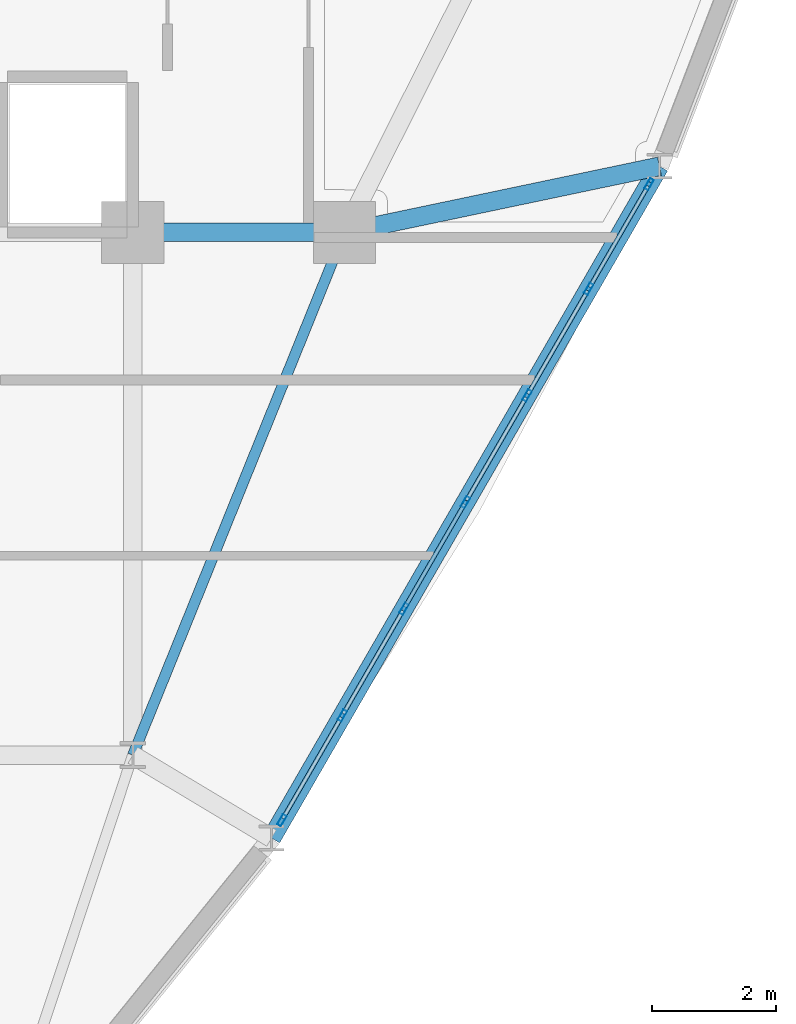
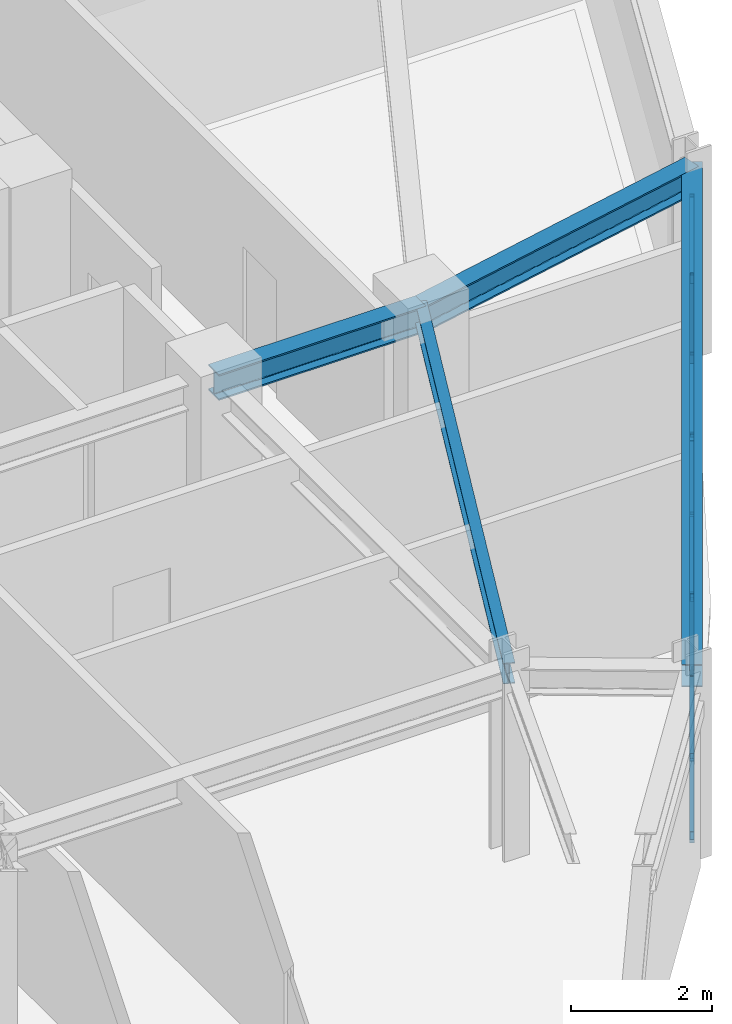
# One storey, part 6 of 14: 21 members, 4 beams, 1 element without a shape of its own.
"""IFC4 building model written with IfcOpenShell, lengths in metres."""

import ifcopenshell
import ifcopenshell.guid

model = None  # the IFC model being written
_history = None  # IfcOwnerHistory: only IFC2X3 demands one
_inside = {}  # id of a spatial element -> (the spatial element, [elements in it])
_under = {}  # id of a project, library or spatial element -> (it, [spatial elements below it])
_declared = {}  # id of a project -> (the project, [libraries it declares])
_typed = {}  # id of a type object -> (the type object, [elements of that type])
_made_of = {}  # id of a material, layer set ... -> (it, [elements and type objects made of it])


def new_model(schema):
    """Start an empty IFC model of exactly this schema.

    Asked for "IFC4X3", IfcOpenShell would pick the latest addendum, in which some entities
    have other attributes; the version numbers below select the first issue.
    IFC2X3 requires an IfcOwnerHistory on every rooted entity: one is made here for all.
    """
    global model, _history
    if schema == "IFC4X3":
        model = ifcopenshell.file(schema_version=(4, 3, 0, 0))
    else:
        model = ifcopenshell.file(schema=schema)
    _inside.clear()
    _under.clear()
    _declared.clear()
    _typed.clear()
    _made_of.clear()
    _history = None
    if model.schema == "IFC2X3":
        org = make("IfcOrganization", Name="unknown")
        user = make(
            "IfcPersonAndOrganization",
            ThePerson=make("IfcPerson", FamilyName="unknown"),
            TheOrganization=org,
        )
        app = make(
            "IfcApplication",
            ApplicationDeveloper=org,
            Version="unknown",
            ApplicationFullName="unknown",
            ApplicationIdentifier="unknown",
        )
        _history = make(
            "IfcOwnerHistory",
            OwningUser=user,
            OwningApplication=app,
            ChangeAction="ADDED",
            CreationDate=0,
        )
    return model


def make(cls, **values):
    """One entity of the class cls with the attributes given. An attribute that is None is left unset."""
    return model.create_entity(
        cls, **{name: value for name, value in values.items() if value is not None}
    )


def rooted(cls, **values):
    """An entity with a GlobalId (a new one), such as an element, a storey or a relation."""
    return make(cls, GlobalId=ifcopenshell.guid.new(), OwnerHistory=_history, **values)


def si_unit(unit_type, name, prefix=None):
    """IfcSIUnit, for example si_unit("LENGTHUNIT", "METRE", prefix="MILLI")."""
    return make("IfcSIUnit", UnitType=unit_type, Prefix=prefix, Name=name)


def derived_unit(unit_type, elements):
    """IfcDerivedUnit: a product of units, each with its exponent."""
    return make(
        "IfcDerivedUnit",
        Elements=[
            make("IfcDerivedUnitElement", Unit=unit, Exponent=power)
            for unit, power in elements
        ],
        UnitType=unit_type,
    )


def assignment(units):
    """IfcUnitAssignment: the units of a project."""
    return None if units is None else make("IfcUnitAssignment", Units=units)


def point(xyz):
    """IfcCartesianPoint."""
    return None if xyz is None else make("IfcCartesianPoint", Coordinates=xyz)


def direction(xyz):
    """IfcDirection."""
    return None if xyz is None else make("IfcDirection", DirectionRatios=xyz)


def frame(location, z_axis=None, x_axis=None):
    """IfcAxis2Placement3D, a coordinate frame: its origin and axes. An axis left out is left unset."""
    return make(
        "IfcAxis2Placement3D",
        Location=point(location),
        Axis=direction(z_axis),
        RefDirection=direction(x_axis),
    )


def frame_2d(location, x_axis=None):
    """IfcAxis2Placement2D, a coordinate frame in the plane: its origin and x axis."""
    return make(
        "IfcAxis2Placement2D", Location=point(location), RefDirection=direction(x_axis)
    )


def origin():
    """The frame at (0, 0, 0) with its axes left unset."""
    return frame((0.0, 0.0, 0.0))


def origin_2d():
    """The frame at (0, 0) in the plane with its x axis left unset."""
    return frame_2d((0.0, 0.0))


def place(relative_to, where):
    """IfcLocalPlacement: puts the frame where relative to a parent placement (None: the world)."""
    return make(
        "IfcLocalPlacement", PlacementRelTo=relative_to, RelativePlacement=where
    )


def context(
    kind, dimensions, precision=None, world=None, true_north=None, identifier=None
):
    """IfcGeometricRepresentationContext, for example the 3D "Model" context."""
    return make(
        "IfcGeometricRepresentationContext",
        ContextIdentifier=identifier,
        ContextType=kind,
        CoordinateSpaceDimension=dimensions,
        Precision=precision,
        WorldCoordinateSystem=world,
        TrueNorth=true_north,
    )


def subcontext(parent, identifier, kind, view, scale=None):
    """IfcGeometricRepresentationSubContext, for example "Body" below "Model"."""
    return make(
        "IfcGeometricRepresentationSubContext",
        ContextIdentifier=identifier,
        ContextType=kind,
        ParentContext=parent,
        TargetScale=scale,
        TargetView=view,
    )


def project(units=None, contexts=None):
    """IfcProject with its units and contexts."""
    return rooted(
        "IfcProject",
        Name="project",
        RepresentationContexts=contexts,
        UnitsInContext=assignment(units),
    )


def spatial(cls, under=None, at=None, **own):
    """A site, building, storey or space (cls), placed at a placement, below another one or the project."""
    s = rooted(cls, ObjectPlacement=at, **own)
    if under is not None:
        _under.setdefault(under.id(), (under, []))[1].append(s)
    return s


def profile(cls, at=None, kind="AREA", **sizes):
    """A parametric profile (cls). Its sizes go by their IFC names, for example OverallWidth=200.0."""
    return make(cls, ProfileType=kind, Position=at, **sizes)


def hollow_rectangle(**sizes):
    """IfcRectangleHollowProfileDef."""
    return profile("IfcRectangleHollowProfileDef", **sizes)


def i_section(**sizes):
    """IfcIShapeProfileDef."""
    return profile("IfcIShapeProfileDef", **sizes)


def extrude(swept, where, along, depth):
    """IfcExtrudedAreaSolid: the profile swept, set in the frame where, extruded along a direction by depth."""
    return make(
        "IfcExtrudedAreaSolid",
        SweptArea=swept,
        Position=where,
        ExtrudedDirection=direction(along),
        Depth=depth,
    )


def shape(context_of_items, identifier, shape_type, items):
    """IfcShapeRepresentation: the items that make up one representation, for example the "Body"."""
    return make(
        "IfcShapeRepresentation",
        ContextOfItems=context_of_items,
        RepresentationIdentifier=identifier,
        RepresentationType=shape_type,
        Items=items,
    )


def source(mapping_origin, context_of_items, identifier, shape_type, items):
    """IfcRepresentationMap: a shape defined once, which mapped items show again and again."""
    return make(
        "IfcRepresentationMap",
        MappingOrigin=mapping_origin,
        MappedRepresentation=shape(context_of_items, identifier, shape_type, items),
    )


def transform(
    local_origin,
    x_axis=None,
    y_axis=None,
    z_axis=None,
    scale=None,
    scale2=None,
    scale3=None,
    uniform=True,
):
    """IfcCartesianTransformationOperator3D, or its non-uniform kind. x_axis, y_axis, z_axis: its Axis1, 2, 3."""
    if uniform:
        return make(
            "IfcCartesianTransformationOperator3D",
            Axis1=direction(x_axis),
            Axis2=direction(y_axis),
            LocalOrigin=point(local_origin),
            Scale=scale,
            Axis3=direction(z_axis),
        )
    return make(
        "IfcCartesianTransformationOperator3DnonUniform",
        Axis1=direction(x_axis),
        Axis2=direction(y_axis),
        LocalOrigin=point(local_origin),
        Scale=scale,
        Axis3=direction(z_axis),
        Scale2=scale2,
        Scale3=scale3,
    )


def mapped(mapping_source, mapping_target):
    """IfcMappedItem: shows the shape of a source again, moved by a transform."""
    return make(
        "IfcMappedItem", MappingSource=mapping_source, MappingTarget=mapping_target
    )


def material(Name=None, Category=None):
    """IfcMaterial."""
    return make("IfcMaterial", Name=Name, Category=Category)


def layer(
    of_material, thickness, ventilated=None, Name=None, Category=None, Priority=None
):
    """IfcMaterialLayer: one layer of a wall or slab, of a material (None: an air gap)."""
    return make(
        "IfcMaterialLayer",
        Material=of_material,
        LayerThickness=thickness,
        IsVentilated=ventilated,
        Name=Name,
        Category=Category,
        Priority=Priority,
    )


def layer_set(layers, Name=None):
    """IfcMaterialLayerSet."""
    return make("IfcMaterialLayerSet", MaterialLayers=layers, LayerSetName=Name)


def material_profile(
    of_material, cross_section, Name=None, Category=None, Priority=None
):
    """IfcMaterialProfile: a cross section and its material."""
    return make(
        "IfcMaterialProfile",
        Name=Name,
        Material=of_material,
        Profile=cross_section,
        Priority=Priority,
        Category=Category,
    )


def profile_set(profiles, Name=None, composite=None):
    """IfcMaterialProfileSet."""
    return make(
        "IfcMaterialProfileSet",
        Name=Name,
        MaterialProfiles=profiles,
        CompositeProfile=composite,
    )


def made_of(thing, what):
    """Note that an element or type object is made of a material, layer set ...; save() writes the relation."""
    if what is not None:
        _made_of.setdefault(what.id(), (what, []))[1].append(thing)
    return thing


def type_object(cls, material=None, **own):
    """A type object (cls), such as IfcWallType, which elements share."""
    return made_of(rooted(cls, **own), material)


def element(
    cls,
    number,
    at=None,
    inside=None,
    cuts=None,
    type_object=None,
    material=None,
    context=None,
    identifier="Body",
    shape_type=None,
    held_by="IfcProductDefinitionShape",
    body=None,
    shapes=None,
    **own,
):
    """One element of the class cls, such as IfcWall. Its Tag is "e" and its number.

    at: its placement. inside: the storey or other place that contains it. cuts: it is an
    opening in that element (IfcRelVoidsElement). A single representation is given by context,
    identifier, shape_type and body (its items); several are given by shapes. held_by: the class
    of the entity that holds the representations. save() writes the other relations.
    """
    e = rooted(cls, Tag="e%d" % number, ObjectPlacement=at, **own)
    if body is not None:
        shapes = [shape(context, identifier, shape_type, body)]
    if shapes is not None:
        e.Representation = make(held_by, Representations=shapes)
    if inside is not None:
        _inside.setdefault(inside.id(), (inside, []))[1].append(e)
    if cuts is not None:
        rooted(
            "IfcRelVoidsElement", RelatingBuildingElement=cuts, RelatedOpeningElement=e
        )
    if type_object is not None:
        _typed.setdefault(type_object.id(), (type_object, []))[1].append(e)
    return made_of(e, material)


def aggregate(whole, parts):
    """IfcRelAggregates: a whole, such as a stair, and the parts it consists of."""
    return rooted("IfcRelAggregates", RelatingObject=whole, RelatedObjects=parts)


def save(model, path):
    """Write the relations noted so far, then the file.

    IfcRelAggregates (storeys below a building ...), IfcRelContainedInSpatialStructure (elements
    in a storey), IfcRelDefinesByType, IfcRelAssociatesMaterial and IfcRelDeclares: one each for
    every whole, place, type object, material and project.
    """
    for whole, parts in _under.values():
        aggregate(whole, parts)
    for where, things in _inside.values():
        rooted(
            "IfcRelContainedInSpatialStructure",
            RelatedElements=things,
            RelatingStructure=where,
        )
    for kind, things in _typed.values():
        rooted("IfcRelDefinesByType", RelatedObjects=things, RelatingType=kind)
    for what, things in _made_of.values():
        rooted("IfcRelAssociatesMaterial", RelatedObjects=things, RelatingMaterial=what)
    for by, libraries in _declared.values():
        rooted("IfcRelDeclares", RelatingContext=by, RelatedDefinitions=libraries)
    model.write(path)


model = new_model("IFC4")

# Units and contexts
model_context = context("Model", 3, precision=1e-05, world=origin(), true_north=direction((0.0, 1.0)))
body_context = subcontext(model_context, "Body", "Model", "MODEL_VIEW")
ifc_project = project(units=[si_unit("LENGTHUNIT", "METRE"), si_unit("AREAUNIT", "SQUARE_METRE"), si_unit("VOLUMEUNIT", "CUBIC_METRE"), si_unit("PLANEANGLEUNIT", "RADIAN"), si_unit("MASSUNIT", "GRAM", prefix="KILO"), derived_unit("THERMALTRANSMITTANCEUNIT", [(si_unit("POWERUNIT", "WATT"), 1), (si_unit("LENGTHUNIT", "METRE"), -2), (si_unit("THERMODYNAMICTEMPERATUREUNIT", "KELVIN"), -1)])], contexts=[model_context])

# Site, building, storey
site_placement = place(None, origin())
site = spatial("IfcSite", under=ifc_project, at=site_placement, CompositionType="ELEMENT")
building_placement = place(site_placement, origin())
building = spatial("IfcBuilding", under=site, at=building_placement, Name="Korsvarv Bourse and Concert Hall", CompositionType="ELEMENT")
storey_placement = place(building_placement, frame((0.0, 0.0, 197.39990234375)))
storey = spatial("IfcBuildingStorey", under=building, at=storey_placement, Name="L51", CompositionType="ELEMENT", Elevation=197.39990234375)

# Beams
ifc_material_1 = material(Name="Steel S355", Category="steel")
ifc_material_profile_1 = material_profile(ifc_material_1, i_section(OverallWidth=0.169921875, OverallDepth=0.360107421875, WebThickness=0.008056640625, FlangeThickness=0.0126953125, FilletRadius=0.01806640625, at=origin_2d()), Name="IPE 360")
ifc_profile_set_1 = profile_set([ifc_material_profile_1], Name="Steel S355")
beam_type_1 = type_object("IfcBeamType", Name="BM-IPE360", PredefinedType="JOIST", material=ifc_profile_set_1)
shared_shape_1 = source(origin(), body_context, "Body", "SweptSolid", [
    extrude(i_section(OverallWidth=0.169921875, OverallDepth=0.360107421875, WebThickness=0.008056640625, FlangeThickness=0.0126953125, FilletRadius=0.01806640625, at=origin_2d()), origin(), (0.0, 0.0, 1.0), 9.06201171875),
])
beam_1_placement = place(storey_placement, frame((47.800048828125, 32.39990234375, 3.080078125), z_axis=(-0.375210394783, -0.926939674222, 0.0), x_axis=(0.926939674222, -0.375210394783, 0.0)))
element("IfcBeam", 1, at=beam_1_placement, inside=storey, type_object=beam_type_1, Name="L51 beam J-06", PredefinedType="JOIST", context=body_context, shape_type="MappedRepresentation", body=[
    mapped(shared_shape_1, transform((0.0, 0.0, 0.0), scale=1.0)),
])
ifc_material_profile_2 = material_profile(ifc_material_1, i_section(OverallWidth=0.300048828125, OverallDepth=0.449951171875, WebThickness=0.013916015625, FlangeThickness=0.02587890625, FilletRadius=0.02099609375, at=origin_2d()), Name="HEB 450")
ifc_profile_set_2 = profile_set([ifc_material_profile_2], Name="Steel S355")
beam_type_2 = type_object("IfcBeamType", Name="BM-HEB450", PredefinedType="SPANDREL", material=ifc_profile_set_2)
shared_shape_2 = source(origin(), body_context, "Body", "SweptSolid", [
    extrude(i_section(OverallWidth=0.300048828125, OverallDepth=0.449951171875, WebThickness=0.013916015625, FlangeThickness=0.02587890625, FilletRadius=0.02099609375, at=origin_2d()), origin(), (0.0, 0.0, 1.0), 3.400146484375),
])
beam_2_placement = place(storey_placement, frame((44.39990234375, 32.39990234375, 3.03515625), z_axis=(1.0, 0.0, 0.0), x_axis=(0.0, 1.0, 0.0)))
element("IfcBeam", 2, at=beam_2_placement, inside=storey, type_object=beam_type_2, Name="L51 beam B-08", PredefinedType="SPANDREL", context=body_context, shape_type="MappedRepresentation", body=[
    mapped(shared_shape_2, transform((0.0, 0.0, 0.0), scale=1.0)),
])
ifc_material_profile_3 = material_profile(ifc_material_1, i_section(OverallWidth=0.300048828125, OverallDepth=0.389892578125, WebThickness=0.010986328125, FlangeThickness=0.01904296875, FilletRadius=0.02099609375, at=origin_2d()), Name="HEA 400")
ifc_profile_set_3 = profile_set([ifc_material_profile_3], Name="Steel S355")
beam_type_3 = type_object("IfcBeamType", Name="BM-HEA400", PredefinedType="BEAM", material=ifc_profile_set_3)
shared_shape_3 = source(origin(), body_context, "Body", "SweptSolid", [
    extrude(i_section(OverallWidth=0.300048828125, OverallDepth=0.389892578125, WebThickness=0.010986328125, FlangeThickness=0.01904296875, FilletRadius=0.02099609375, at=origin_2d()), origin(), (0.0, 0.0, 1.0), 12.46630859375),
])
beam_3_placement = place(storey_placement, frame((46.62890625, 22.666015625, 3.065185546875), z_axis=(0.499985219902, 0.86603393691, 0.0), x_axis=(-0.86603393691, 0.499985219902, 0.0)))
element("IfcBeam", 3, at=beam_3_placement, inside=storey, type_object=beam_type_3, Name="L51 beam B-11", PredefinedType="BEAM", context=body_context, shape_type="MappedRepresentation", body=[
    mapped(shared_shape_3, transform((0.0, 0.0, 0.0), scale=1.0)),
])
shared_shape_4 = source(origin(), body_context, "Body", "SweptSolid", [
    extrude(i_section(OverallWidth=0.300048828125, OverallDepth=0.449951171875, WebThickness=0.013916015625, FlangeThickness=0.02587890625, FilletRadius=0.02099609375, at=origin_2d()), origin(), (0.0, 0.0, 1.0), 5.172119140625),
])
beam_4_placement = place(storey_placement, frame((52.86181640625, 33.462158203125, 3.03515625), z_axis=(-0.978681305513, -0.205384766328, 0.0), x_axis=(0.205384766328, -0.978681305513, 0.0)))
element("IfcBeam", 4, at=beam_4_placement, inside=storey, type_object=beam_type_2, Name="L51 beam B-08", PredefinedType="SPANDREL", context=body_context, shape_type="MappedRepresentation", body=[
    mapped(shared_shape_4, transform((0.0, 0.0, 0.0), scale=1.0)),
])

# Curtain wall, members
ifc_material_2 = material(Name="Anodised aluminium and triple low-E glazing", Category="glass")
ifc_layer = layer(ifc_material_2, 0.199951171875)
ifc_layer_set = layer_set([ifc_layer], Name="Anodised aluminium and triple low-E glazing")
curtain_wall_type = type_object("IfcCurtainWallType", Name="CW-SYS-3", PredefinedType="NOTDEFINED", material=ifc_layer_set)
curtain_wall_placement = place(storey_placement, origin())
curtain_wall = element("IfcCurtainWall", 5, at=curtain_wall_placement, inside=storey, type_object=curtain_wall_type, Name="L51 CW3 curtain wall CW-L51-F11", PredefinedType="NOTDEFINED")
ifc_material_3 = material(Name="Extruded aluminium EN AW-6063 T66", Category="aluminium")
ifc_material_profile_4 = material_profile(ifc_material_3, hollow_rectangle(XDim=0.06494140625, YDim=0.139892578125, WallThickness=0.00390625, at=origin_2d()), Name="ALU-T 65x140")
ifc_profile_set_4 = profile_set([ifc_material_profile_4], Name="Extruded aluminium EN AW-6063 T66")
member_type_1 = type_object("IfcMemberType", Name="CWT-140", PredefinedType="USERDEFINED", material=ifc_profile_set_4)
shared_shape_5 = source(origin(), body_context, "Body", "SweptSolid", [
    extrude(hollow_rectangle(XDim=0.06494140625, YDim=0.139892578125, WallThickness=0.00390625, at=origin_2d()), origin(), (0.0, 0.0, 1.0), 1.908447265625),
])
member_1_placement = place(storey_placement, frame((47.784423828125, 24.667724609375, 0.03271484375), z_axis=(0.500032491935, 0.866006643745, 0.0), x_axis=(-0.866006643745, 0.500032491935, 0.0)))
member_1 = element("IfcMember", 6, at=member_1_placement, type_object=member_type_1, Name="CW3 transom 2.1", ObjectType="TRANSOM", PredefinedType="USERDEFINED", context=body_context, shape_type="MappedRepresentation", body=[
    mapped(shared_shape_5, transform((0.0, 0.0, 0.0), scale=1.0)),
])
member_2_placement = place(storey_placement, frame((47.784423828125, 24.667724609375, 2.837646484375), z_axis=(0.500032491935, 0.866006643745, 0.0), x_axis=(-0.866006643745, 0.500032491935, 0.0)))
member_2 = element("IfcMember", 7, at=member_2_placement, type_object=member_type_1, Name="CW3 transom 2.2", ObjectType="TRANSOM", PredefinedType="USERDEFINED", context=body_context, shape_type="MappedRepresentation", body=[
    mapped(shared_shape_5, transform((0.0, 0.0, 0.0), scale=1.0)),
])
member_3_placement = place(storey_placement, frame((48.773681640625, 26.381103515625, 0.03271484375), z_axis=(0.499936548189, 0.866062034606, 0.0), x_axis=(-0.866062034606, 0.499936548189, 0.0)))
member_3 = element("IfcMember", 8, at=member_3_placement, type_object=member_type_1, Name="CW3 transom 3.1", ObjectType="TRANSOM", PredefinedType="USERDEFINED", context=body_context, shape_type="MappedRepresentation", body=[
    mapped(shared_shape_5, transform((0.0, 0.0, 0.0), scale=1.0)),
])
member_4_placement = place(storey_placement, frame((48.773681640625, 26.381103515625, 2.837646484375), z_axis=(0.499936548189, 0.866062034606, 0.0), x_axis=(-0.866062034606, 0.499936548189, 0.0)))
member_4 = element("IfcMember", 9, at=member_4_placement, type_object=member_type_1, Name="CW3 transom 3.2", ObjectType="TRANSOM", PredefinedType="USERDEFINED", context=body_context, shape_type="MappedRepresentation", body=[
    mapped(shared_shape_5, transform((0.0, 0.0, 0.0), scale=1.0)),
])
member_5_placement = place(storey_placement, frame((50.751953125, 29.807861328125, 0.03271484375), z_axis=(0.500087889681, 0.865974654707, 0.0), x_axis=(-0.865974654707, 0.500087889681, 0.0)))
member_5 = element("IfcMember", 10, at=member_5_placement, type_object=member_type_1, Name="CW3 transom 5.1", ObjectType="TRANSOM", PredefinedType="USERDEFINED", context=body_context, shape_type="MappedRepresentation", body=[
    mapped(shared_shape_5, transform((0.0, 0.0, 0.0), scale=1.0)),
])
member_6_placement = place(storey_placement, frame((50.751953125, 29.807861328125, 2.837646484375), z_axis=(0.500087889681, 0.865974654707, 0.0), x_axis=(-0.865974654707, 0.500087889681, 0.0)))
member_6 = element("IfcMember", 11, at=member_6_placement, type_object=member_type_1, Name="CW3 transom 5.2", ObjectType="TRANSOM", PredefinedType="USERDEFINED", context=body_context, shape_type="MappedRepresentation", body=[
    mapped(shared_shape_5, transform((0.0, 0.0, 0.0), scale=1.0)),
])
shared_shape_6 = source(origin(), body_context, "Body", "SweptSolid", [
    extrude(hollow_rectangle(XDim=0.06494140625, YDim=0.139892578125, WallThickness=0.00390625, at=origin_2d()), origin(), (0.0, 0.0, 1.0), 1.873291015625),
])
member_7_placement = place(storey_placement, frame((51.7412109375, 31.521240234375, 0.03271484375), z_axis=(0.500049599607, 0.865996765544, 0.0), x_axis=(-0.865996765544, 0.500049599607, 0.0)))
member_7 = element("IfcMember", 12, at=member_7_placement, type_object=member_type_1, Name="CW3 transom 6.1", ObjectType="TRANSOM", PredefinedType="USERDEFINED", context=body_context, shape_type="MappedRepresentation", body=[
    mapped(shared_shape_6, transform((0.0, 0.0, 0.0), scale=1.0)),
])
member_8_placement = place(storey_placement, frame((51.7412109375, 31.521240234375, 2.837646484375), z_axis=(0.500049599607, 0.865996765544, 0.0), x_axis=(-0.865996765544, 0.500049599607, 0.0)))
member_8 = element("IfcMember", 13, at=member_8_placement, type_object=member_type_1, Name="CW3 transom 6.2", ObjectType="TRANSOM", PredefinedType="USERDEFINED", context=body_context, shape_type="MappedRepresentation", body=[
    mapped(shared_shape_6, transform((0.0, 0.0, 0.0), scale=1.0)),
])
shared_shape_7 = source(origin(), body_context, "Body", "SweptSolid", [
    extrude(hollow_rectangle(XDim=0.06494140625, YDim=0.139892578125, WallThickness=0.00390625, at=origin_2d()), origin(), (0.0, 0.0, 1.0), 1.908203125),
])
member_9_placement = place(storey_placement, frame((49.762939453125, 28.094482421875, 0.03271484375), z_axis=(0.499991942392, 0.866030055796, 0.0), x_axis=(-0.866030055796, 0.499991942392, 0.0)))
member_9 = element("IfcMember", 14, at=member_9_placement, type_object=member_type_1, Name="CW3 transom 4.1", ObjectType="TRANSOM", PredefinedType="USERDEFINED", context=body_context, shape_type="MappedRepresentation", body=[
    mapped(shared_shape_7, transform((0.0, 0.0, 0.0), scale=1.0)),
])
member_10_placement = place(storey_placement, frame((49.762939453125, 28.094482421875, 2.837646484375), z_axis=(0.499991942392, 0.866030055796, 0.0), x_axis=(-0.866030055796, 0.499991942392, 0.0)))
member_10 = element("IfcMember", 15, at=member_10_placement, type_object=member_type_1, Name="CW3 transom 4.2", ObjectType="TRANSOM", PredefinedType="USERDEFINED", context=body_context, shape_type="MappedRepresentation", body=[
    mapped(shared_shape_7, transform((0.0, 0.0, 0.0), scale=1.0)),
])
shared_shape_8 = source(origin(), body_context, "Body", "SweptSolid", [
    extrude(hollow_rectangle(XDim=0.06494140625, YDim=0.139892578125, WallThickness=0.00390625, at=origin_2d()), origin(), (0.0, 0.0, 1.0), 1.87353515625),
])
member_11_placement = place(storey_placement, frame((46.812744140625, 22.984619140625, 0.03271484375), z_axis=(0.49999316964, 0.866029347258, 0.0), x_axis=(-0.866029347258, 0.49999316964, 0.0)))
member_11 = element("IfcMember", 16, at=member_11_placement, type_object=member_type_1, Name="CW3 transom 1.1", ObjectType="TRANSOM", PredefinedType="USERDEFINED", context=body_context, shape_type="MappedRepresentation", body=[
    mapped(shared_shape_8, transform((0.0, 0.0, 0.0), scale=1.0)),
])
member_12_placement = place(storey_placement, frame((46.812744140625, 22.984619140625, 2.837646484375), z_axis=(0.49999316964, 0.866029347258, 0.0), x_axis=(-0.866029347258, 0.49999316964, 0.0)))
member_12 = element("IfcMember", 17, at=member_12_placement, type_object=member_type_1, Name="CW3 transom 1.2", ObjectType="TRANSOM", PredefinedType="USERDEFINED", context=body_context, shape_type="MappedRepresentation", body=[
    mapped(shared_shape_8, transform((0.0, 0.0, 0.0), scale=1.0)),
])
ifc_material_profile_5 = material_profile(ifc_material_3, hollow_rectangle(XDim=0.070068359375, YDim=0.18994140625, WallThickness=0.0048828125, at=origin_2d()), Name="ALU-M 70x190")
ifc_profile_set_5 = profile_set([ifc_material_profile_5], Name="Extruded aluminium EN AW-6063 T66")
member_type_2 = type_object("IfcMemberType", Name="CWM-190", PredefinedType="MULLION", material=ifc_profile_set_5)
shared_shape_9 = source(origin(), body_context, "Body", "SweptSolid", [
    extrude(hollow_rectangle(XDim=0.070068359375, YDim=0.18994140625, WallThickness=0.0048828125, at=origin_2d()), origin(), (0.0, 0.0, 1.0), 2.8701171875),
])
member_13_placement = place(storey_placement, frame((46.79541015625, 22.954345703125, 0.0), z_axis=(0.0, 0.0, 1.0), x_axis=(-0.866029726531, 0.499992512708, 0.0)))
member_13 = element("IfcMember", 18, at=member_13_placement, type_object=member_type_2, Name="CW3 mullion 1", PredefinedType="MULLION", context=body_context, shape_type="MappedRepresentation", body=[
    mapped(shared_shape_9, transform((0.0, 0.0, 0.0), scale=1.0)),
])
member_14_placement = place(storey_placement, frame((47.76708984375, 24.637451171875, 0.0), z_axis=(0.0, 0.0, 1.0), x_axis=(-0.866029726531, 0.499992512708, 0.0)))
member_14 = element("IfcMember", 19, at=member_14_placement, type_object=member_type_2, Name="CW3 mullion 2", PredefinedType="MULLION", context=body_context, shape_type="MappedRepresentation", body=[
    mapped(shared_shape_9, transform((0.0, 0.0, 0.0), scale=1.0)),
])
member_15_placement = place(storey_placement, frame((48.756103515625, 26.350830078125, 0.0), z_axis=(0.0, 0.0, 1.0), x_axis=(-0.866029726531, 0.499992512708, 0.0)))
member_15 = element("IfcMember", 20, at=member_15_placement, type_object=member_type_2, Name="CW3 mullion 3", PredefinedType="MULLION", context=body_context, shape_type="MappedRepresentation", body=[
    mapped(shared_shape_9, transform((0.0, 0.0, 0.0), scale=1.0)),
])
member_16_placement = place(storey_placement, frame((49.745361328125, 28.064208984375, 0.0), z_axis=(0.0, 0.0, 1.0), x_axis=(-0.866029726531, 0.499992512708, 0.0)))
member_16 = element("IfcMember", 21, at=member_16_placement, type_object=member_type_2, Name="CW3 mullion 4", PredefinedType="MULLION", context=body_context, shape_type="MappedRepresentation", body=[
    mapped(shared_shape_9, transform((0.0, 0.0, 0.0), scale=1.0)),
])
member_17_placement = place(storey_placement, frame((50.734619140625, 29.777587890625, 0.0), z_axis=(0.0, 0.0, 1.0), x_axis=(-0.866029726531, 0.499992512708, 0.0)))
member_17 = element("IfcMember", 22, at=member_17_placement, type_object=member_type_2, Name="CW3 mullion 5", PredefinedType="MULLION", context=body_context, shape_type="MappedRepresentation", body=[
    mapped(shared_shape_9, transform((0.0, 0.0, 0.0), scale=1.0)),
])
member_18_placement = place(storey_placement, frame((51.7236328125, 31.490966796875, 0.0), z_axis=(0.0, 0.0, 1.0), x_axis=(-0.866029726531, 0.499992512708, 0.0)))
member_18 = element("IfcMember", 23, at=member_18_placement, type_object=member_type_2, Name="CW3 mullion 6", PredefinedType="MULLION", context=body_context, shape_type="MappedRepresentation", body=[
    mapped(shared_shape_9, transform((0.0, 0.0, 0.0), scale=1.0)),
])
member_19_placement = place(storey_placement, frame((52.6953125, 33.173828125, 0.0), z_axis=(0.0, 0.0, 1.0), x_axis=(-0.866029726531, 0.499992512708, 0.0)))
member_19 = element("IfcMember", 24, at=member_19_placement, type_object=member_type_2, Name="CW3 mullion 7", PredefinedType="MULLION", context=body_context, shape_type="MappedRepresentation", body=[
    mapped(shared_shape_9, transform((0.0, 0.0, 0.0), scale=1.0)),
])
ifc_material_profile_6 = material_profile(ifc_material_3, hollow_rectangle(XDim=0.06494140625, YDim=0.1650390625, WallThickness=0.0048828125, at=origin_2d()), Name="ALU-M 65x165")
ifc_profile_set_6 = profile_set([ifc_material_profile_6], Name="Extruded aluminium EN AW-6063 T66")
member_type_3 = type_object("IfcMemberType", Name="CWM-165", PredefinedType="MULLION", material=ifc_profile_set_6)
shared_shape_10 = source(origin(), body_context, "Body", "SweptSolid", [
    extrude(hollow_rectangle(XDim=0.06494140625, YDim=0.1650390625, WallThickness=0.0048828125, at=origin_2d()), origin(), (0.0, 0.0, 1.0), 3.339111328125),
])
member_20_placement = place(storey_placement, frame((48.773681640625, 26.381103515625, 0.065185546875), z_axis=(0.285734592338, 0.494990580893, 0.820573011723), x_axis=(-0.866062034606, 0.499936548189, 0.0)))
member_20 = element("IfcMember", 25, at=member_20_placement, type_object=member_type_3, Name="CW3 diagonal mullion 3", PredefinedType="MULLION", context=body_context, shape_type="MappedRepresentation", body=[
    mapped(shared_shape_10, transform((0.0, 0.0, 0.0), scale=1.0)),
])
shared_shape_11 = source(origin(), body_context, "Body", "SweptSolid", [
    extrude(hollow_rectangle(XDim=0.06494140625, YDim=0.1650390625, WallThickness=0.0048828125, at=origin_2d()), origin(), (0.0, 0.0, 1.0), 3.319091796875),
])
member_21_placement = place(storey_placement, frame((52.677978515625, 33.1435546875, 0.065185546875), z_axis=(-0.282228253751, -0.488769024283, 0.82550109248), x_axis=(0.865996765544, -0.500049599607, 0.0)))
member_21 = element("IfcMember", 26, at=member_21_placement, type_object=member_type_3, Name="CW3 diagonal mullion 6", PredefinedType="MULLION", context=body_context, shape_type="MappedRepresentation", body=[
    mapped(shared_shape_11, transform((0.0, 0.0, 0.0), scale=1.0)),
])
aggregate(curtain_wall, [member_13, member_14, member_15, member_16, member_17, member_18, member_19, member_11, member_12, member_1, member_2, member_3, member_4, member_20, member_9, member_10, member_5, member_6, member_7, member_8, member_21])

save(model, "model.ifc")
